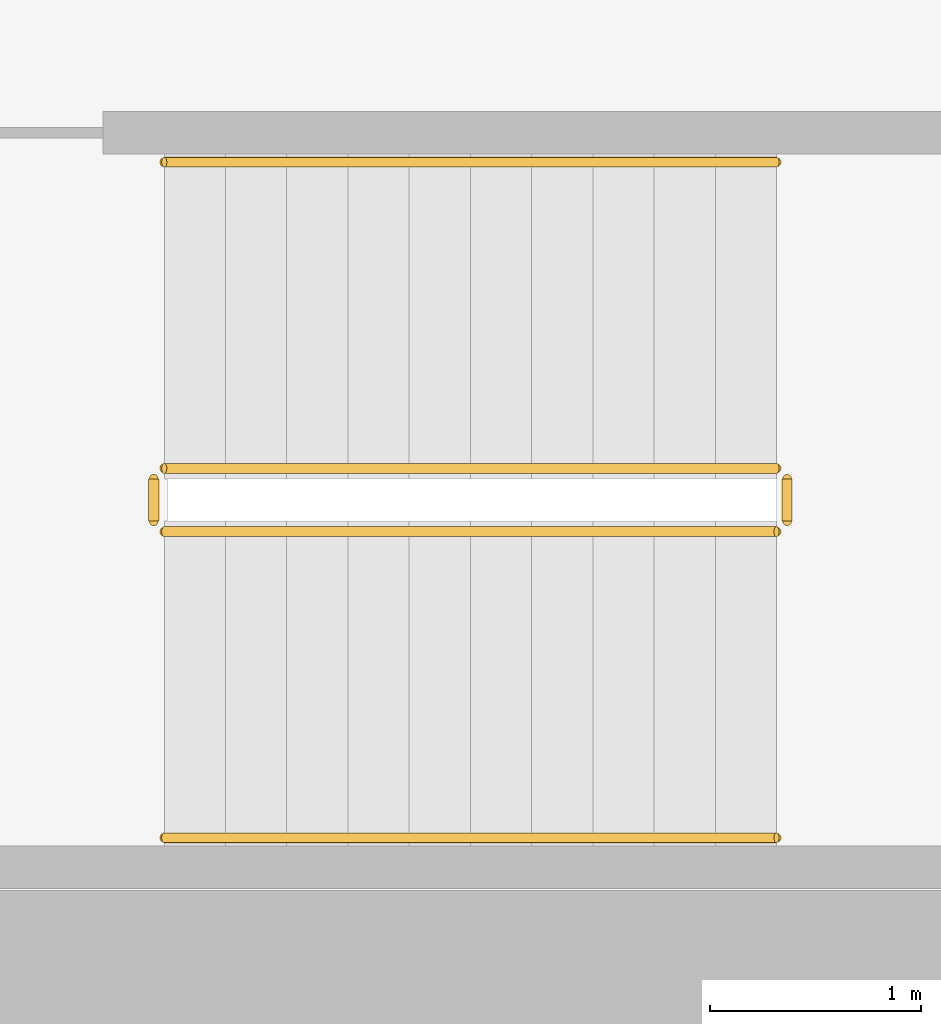
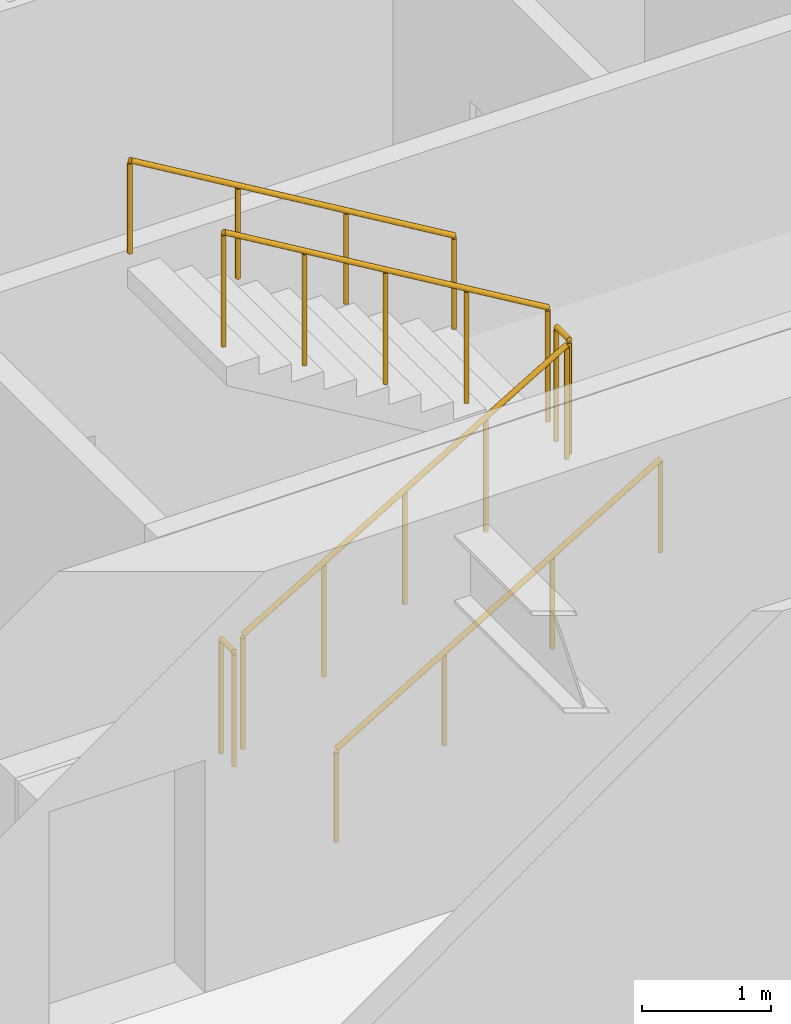
# One storey, part 19 of 20: 6 railings.
"""IFC4 building model written with IfcOpenShell, lengths in metres."""

from ifc_helpers import new_model, si_unit, direction, frame, origin, origin_2d, place, context, subcontext, project, spatial, circle, extrude, material, type_object, element, save


model = new_model("IFC4")

# Units and contexts
model_context = context("Model", 3, precision=1e-05, world=origin(), true_north=direction((0.0, 1.0)))
body_context = subcontext(model_context, "Body", "Model", "MODEL_VIEW")
ifc_project = project(units=[si_unit("LENGTHUNIT", "METRE"), si_unit("AREAUNIT", "SQUARE_METRE"), si_unit("VOLUMEUNIT", "CUBIC_METRE"), si_unit("PLANEANGLEUNIT", "RADIAN"), si_unit("MASSUNIT", "GRAM", prefix="KILO")], contexts=[model_context])

# Site, building, storey
site_placement = place(None, origin())
site = spatial("IfcSite", under=ifc_project, at=site_placement, CompositionType="ELEMENT")
building_placement = place(site_placement, origin())
building = spatial("IfcBuilding", under=site, at=building_placement, Name="Putna Gate Headquarters", CompositionType="ELEMENT")
storey_placement = place(building_placement, frame((0.0, 0.0, 35.39990234375)))
storey = spatial("IfcBuildingStorey", under=building, at=storey_placement, Name="L07", CompositionType="ELEMENT", Elevation=35.39990234375)

# Railings
ifc_material_1 = material(Name="Powder-coated steel stair guardrail", Category="steel")
railing_type_1 = type_object("IfcRailingType", Name="RAIL-STAIR-GUARD-1100", PredefinedType="GUARDRAIL", material=ifc_material_1)
railing_1_placement = place(storey_placement, frame((57.89990234375, 21.10009765625, 0.1728515625)))
element("IfcRailing", 1, at=railing_1_placement, inside=storey, type_object=railing_type_1, Name="L07 ST2 stair guard 1", PredefinedType="GUARDRAIL", context=body_context, shape_type="SweptSolid", body=[
    extrude(circle(Radius=0.02392578125, at=origin_2d()), frame((0.0, 0.0, 1.076171875), z_axis=(0.859160404282, 0.0, 0.51170636083), x_axis=(0.0, 1.0, 0.0)), (0.0, 0.0, 1.0), 3.37548828125),
    extrude(circle(Radius=0.02099609375, at=origin_2d()), origin(), (0.0, 0.0, 1.0), 1.052001953125),
    extrude(circle(Radius=0.02099609375, at=origin_2d()), frame((0.72509765625, 0.0, 0.431884765625)), (0.0, 0.0, 1.0), 1.052001953125),
    extrude(circle(Radius=0.02099609375, at=origin_2d()), frame((1.4501953125, 0.0, 0.86376953125)), (0.0, 0.0, 1.0), 1.052001953125),
    extrude(circle(Radius=0.02099609375, at=origin_2d()), frame((2.175048828125, 0.0, 1.29541015625)), (0.0, 0.0, 1.0), 1.052001953125),
    extrude(circle(Radius=0.02099609375, at=origin_2d()), frame((2.900146484375, 0.0, 1.727294921875)), (0.0, 0.0, 1.0), 1.052001953125),
])
railing_2_placement = place(storey_placement, frame((60.85009765625, 21.14990234375, 1.900146484375)))
element("IfcRailing", 2, at=railing_2_placement, inside=storey, type_object=railing_type_1, Name="L07 ST2 stair guard 2", PredefinedType="GUARDRAIL", context=body_context, shape_type="SweptSolid", body=[
    extrude(circle(Radius=0.02392578125, at=origin_2d()), frame((0.0, 0.0, 1.076171875), z_axis=(0.0, 1.0, 0.0), x_axis=(-1.0, 0.0, 0.0)), (0.0, 0.0, 1.0), 0.2001953125),
    extrude(circle(Radius=0.02099609375, at=origin_2d()), origin(), (0.0, 0.0, 1.0), 1.052001953125),
    extrude(circle(Radius=0.02099609375, at=origin_2d()), frame((0.0, 0.2001953125, 0.0)), (0.0, 0.0, 1.0), 1.052001953125),
])
railing_3_placement = place(storey_placement, frame((60.800048828125, 21.39990234375, 2.07275390625)))
element("IfcRailing", 3, at=railing_3_placement, inside=storey, type_object=railing_type_1, Name="L07 ST2 stair guard 3", PredefinedType="GUARDRAIL", context=body_context, shape_type="SweptSolid", body=[
    extrude(circle(Radius=0.02392578125, at=origin_2d()), frame((0.0, 0.0, 1.076171875), z_axis=(-0.859160404282, 0.0, 0.51170636083), x_axis=(0.0, -1.0, 0.0)), (0.0, 0.0, 1.0), 3.37548828125),
    extrude(circle(Radius=0.02099609375, at=origin_2d()), origin(), (0.0, 0.0, 1.0), 1.052001953125),
    extrude(circle(Radius=0.02099609375, at=origin_2d()), frame((-0.72509765625, 0.0, 0.431884765625)), (0.0, 0.0, 1.0), 1.052001953125),
    extrude(circle(Radius=0.02099609375, at=origin_2d()), frame((-1.4501953125, 0.0, 0.86376953125)), (0.0, 0.0, 1.0), 1.052001953125),
    extrude(circle(Radius=0.02099609375, at=origin_2d()), frame((-2.175048828125, 0.0, 1.29541015625)), (0.0, 0.0, 1.0), 1.052001953125),
    extrude(circle(Radius=0.02099609375, at=origin_2d()), frame((-2.900146484375, 0.0, 1.727294921875)), (0.0, 0.0, 1.0), 1.052001953125),
])
railing_4_placement = place(storey_placement, frame((57.85009765625, 21.14990234375, 0.0)))
element("IfcRailing", 4, at=railing_4_placement, inside=storey, type_object=railing_type_1, Name="L07 ST2 stair guard 4", PredefinedType="GUARDRAIL", context=body_context, shape_type="SweptSolid", body=[
    extrude(circle(Radius=0.02392578125, at=origin_2d()), frame((0.0, 0.0, 1.076171875), z_axis=(0.0, 1.0, 0.0), x_axis=(-1.0, 0.0, 0.0)), (0.0, 0.0, 1.0), 0.2001953125),
    extrude(circle(Radius=0.02099609375, at=origin_2d()), origin(), (0.0, 0.0, 1.0), 1.052001953125),
    extrude(circle(Radius=0.02099609375, at=origin_2d()), frame((0.0, 0.2001953125, 0.0)), (0.0, 0.0, 1.0), 1.052001953125),
])
ifc_material_2 = material(Name="Brushed stainless steel handrail", Category="steel")
railing_type_2 = type_object("IfcRailingType", Name="RAIL-STAIR-HAND-900", PredefinedType="HANDRAIL", material=ifc_material_2)
railing_5_placement = place(storey_placement, frame((57.89990234375, 19.64990234375, 0.1728515625)))
element("IfcRailing", 5, at=railing_5_placement, inside=storey, type_object=railing_type_2, Name="L07 ST2 stair handrail 1", PredefinedType="HANDRAIL", context=body_context, shape_type="SweptSolid", body=[
    extrude(circle(Radius=0.02392578125, at=origin_2d()), frame((0.0, 0.0, 0.8759765625), z_axis=(0.859160404282, 0.0, 0.51170636083), x_axis=(0.0, 1.0, 0.0)), (0.0, 0.0, 1.0), 3.37548828125),
    extrude(circle(Radius=0.02099609375, at=origin_2d()), origin(), (0.0, 0.0, 1.0), 0.851806640625),
    extrude(circle(Radius=0.02099609375, at=origin_2d()), frame((0.966796875, 0.0, 0.57568359375)), (0.0, 0.0, 1.0), 0.851806640625),
    extrude(circle(Radius=0.02099609375, at=origin_2d()), frame((1.933349609375, 0.0, 1.151611328125)), (0.0, 0.0, 1.0), 0.851806640625),
    extrude(circle(Radius=0.02099609375, at=origin_2d()), frame((2.900146484375, 0.0, 1.727294921875)), (0.0, 0.0, 1.0), 0.851806640625),
])
railing_6_placement = place(storey_placement, frame((60.800048828125, 22.85009765625, 2.07275390625)))
element("IfcRailing", 6, at=railing_6_placement, inside=storey, type_object=railing_type_2, Name="L07 ST2 stair handrail 2", PredefinedType="HANDRAIL", context=body_context, shape_type="SweptSolid", body=[
    extrude(circle(Radius=0.02392578125, at=origin_2d()), frame((0.0, 0.0, 0.8759765625), z_axis=(-0.859160404282, 0.0, 0.51170636083), x_axis=(0.0, -1.0, 0.0)), (0.0, 0.0, 1.0), 3.37548828125),
    extrude(circle(Radius=0.02099609375, at=origin_2d()), origin(), (0.0, 0.0, 1.0), 0.851806640625),
    extrude(circle(Radius=0.02099609375, at=origin_2d()), frame((-0.966796875, 0.0, 0.57568359375)), (0.0, 0.0, 1.0), 0.851806640625),
    extrude(circle(Radius=0.02099609375, at=origin_2d()), frame((-1.933349609375, 0.0, 1.151611328125)), (0.0, 0.0, 1.0), 0.851806640625),
    extrude(circle(Radius=0.02099609375, at=origin_2d()), frame((-2.900146484375, 0.0, 1.727294921875)), (0.0, 0.0, 1.0), 0.851806640625),
])

save(model, "model.ifc")
